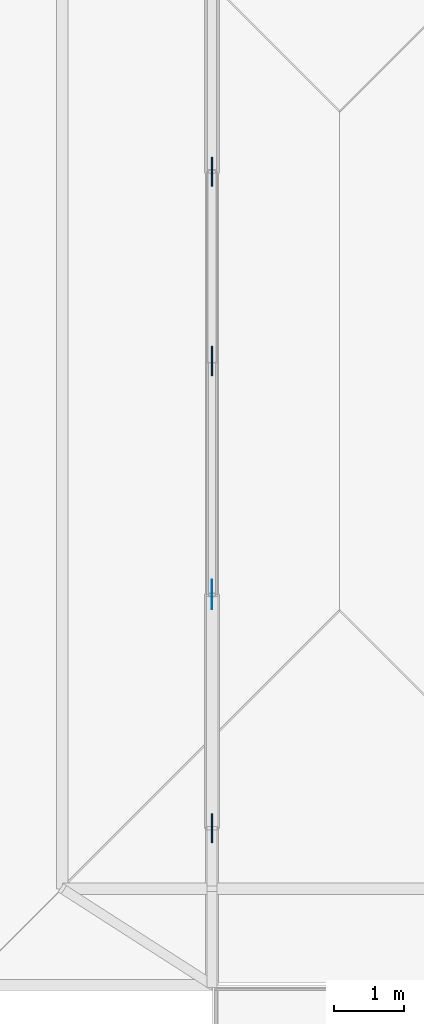
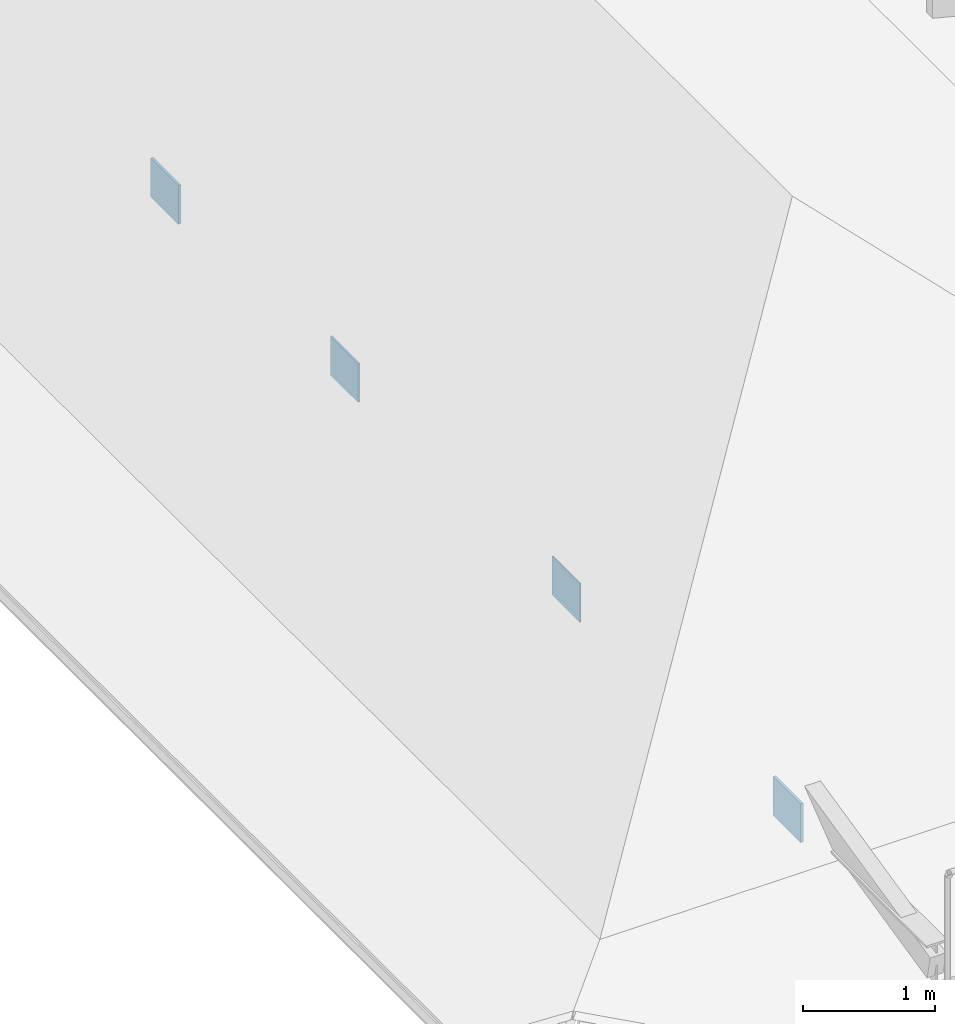
# One storey, part 66 of 100: 4 plates.
"""IFC4 building model written with IfcOpenShell, lengths in metres."""

from ifc_helpers import new_model, si_unit, direction, frame, origin, origin_2d, place, context, subcontext, project, spatial, rectangle, extrude, material, layer, layer_set, type_object, element, save


model = new_model("IFC4")

# Units and contexts
model_context = context("Model", 3, precision=1e-05, world=origin(), true_north=direction((0.0, 1.0)))
body_context = subcontext(model_context, "Body", "Model", "MODEL_VIEW")
ifc_project = project(units=[si_unit("LENGTHUNIT", "METRE"), si_unit("AREAUNIT", "SQUARE_METRE"), si_unit("VOLUMEUNIT", "CUBIC_METRE"), si_unit("PLANEANGLEUNIT", "RADIAN"), si_unit("MASSUNIT", "GRAM", prefix="KILO")], contexts=[model_context])

# Site, building, storey
site_placement = place(None, origin())
site = spatial("IfcSite", under=ifc_project, at=site_placement, CompositionType="ELEMENT")
building_placement = place(site_placement, origin())
building = spatial("IfcBuilding", under=site, at=building_placement, Name="Steenspoor Specialist Clinic", CompositionType="ELEMENT")
storey_placement = place(building_placement, frame((0.0, 0.0, 9.0)))
storey = spatial("IfcBuildingStorey", under=building, at=storey_placement, Name="L02", CompositionType="ELEMENT", Elevation=9.0)

# Plates
ifc_material = material(Name="Steel A572 Grade 50", Category="steel")
ifc_layer_1 = layer(ifc_material, 0.010009765625)
ifc_layer_set_1 = layer_set([ifc_layer_1], Name="Steel A572 Grade 50")
plate_type_1 = type_object("IfcPlateType", Name="PL-CAP-10", PredefinedType="SHEET", material=ifc_layer_set_1)
plate_1_placement = place(storey_placement, frame((15.60009765625, 85.157470703125, 0.12841796875), z_axis=(0.0, 0.0, 1.0), x_axis=(1.0, 0.0, 0.0)))
element("IfcPlate", 1, at=plate_1_placement, inside=storey, type_object=plate_type_1, Name="Truss Gusset Plate GP-10", PredefinedType="SHEET", context=body_context, shape_type="SweptSolid", body=[
    extrude(rectangle(XDim=0.010009765625, YDim=0.419921875, at=origin_2d()), origin(), (0.0, 0.0, 1.0), 0.360107421875),
])
ifc_layer_2 = layer(ifc_material, 0.01611328125)
ifc_layer_set_2 = layer_set([ifc_layer_2], Name="Steel A572 Grade 50")
plate_type_2 = type_object("IfcPlateType", Name="PL-GUS-16", PredefinedType="SHEET", material=ifc_layer_set_2)
plate_2_placement = place(storey_placement, frame((15.60009765625, 88.514892578125, 0.12841796875), z_axis=(0.0, 0.0, 1.0), x_axis=(1.0, 0.0, 0.0)))
element("IfcPlate", 2, at=plate_2_placement, inside=storey, type_object=plate_type_2, Name="Truss Gusset Plate GP-16", PredefinedType="SHEET", context=body_context, shape_type="SweptSolid", body=[
    extrude(rectangle(XDim=0.01611328125, YDim=0.419921875, at=origin_2d()), origin(), (0.0, 0.0, 1.0), 0.360107421875),
])
ifc_layer_3 = layer(ifc_material, 0.02392578125)
ifc_layer_set_3 = layer_set([ifc_layer_3], Name="Steel A572 Grade 50")
plate_type_3 = type_object("IfcPlateType", Name="PL-GUS-24", PredefinedType="SHEET", material=ifc_layer_set_3)
for number, where, z_axis, x_axis, name in (
    (3, (15.60009765625, 81.800048828125, 0.12841796875), (0.0, 0.0, 1.0), (1.0, 0.0, 0.0), "Truss Gusset Plate GP-24"),
    (4, (15.60009765625, 91.232421875, 0.12841796875), (0.0, 0.0, 1.0), (1.0, 0.0, 0.0), "Truss Gusset Plate GP-24"),
):
    element("IfcPlate", number, at=place(storey_placement, frame(where, z_axis=z_axis, x_axis=x_axis)), inside=storey, type_object=plate_type_3, Name=name, PredefinedType="SHEET", context=body_context, shape_type="SweptSolid", body=[
        extrude(rectangle(XDim=0.02392578125, YDim=0.419921875, at=origin_2d()), origin(), (0.0, 0.0, 1.0), 0.360107421875),
    ])

save(model, "model.ifc")
